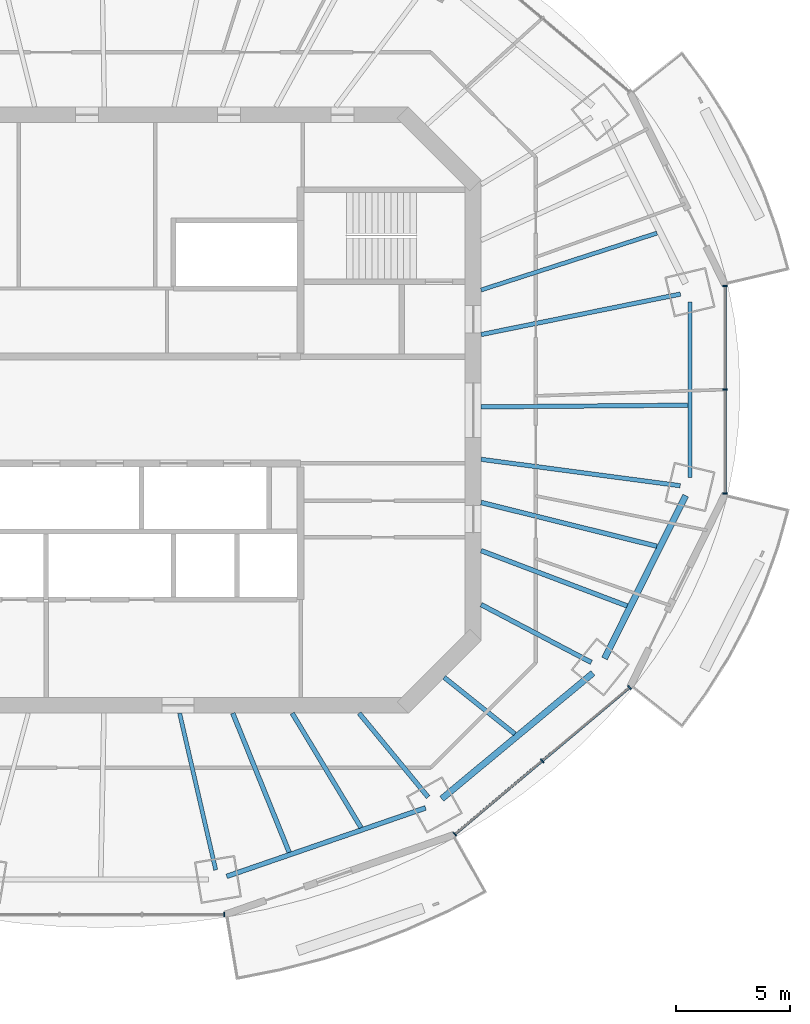
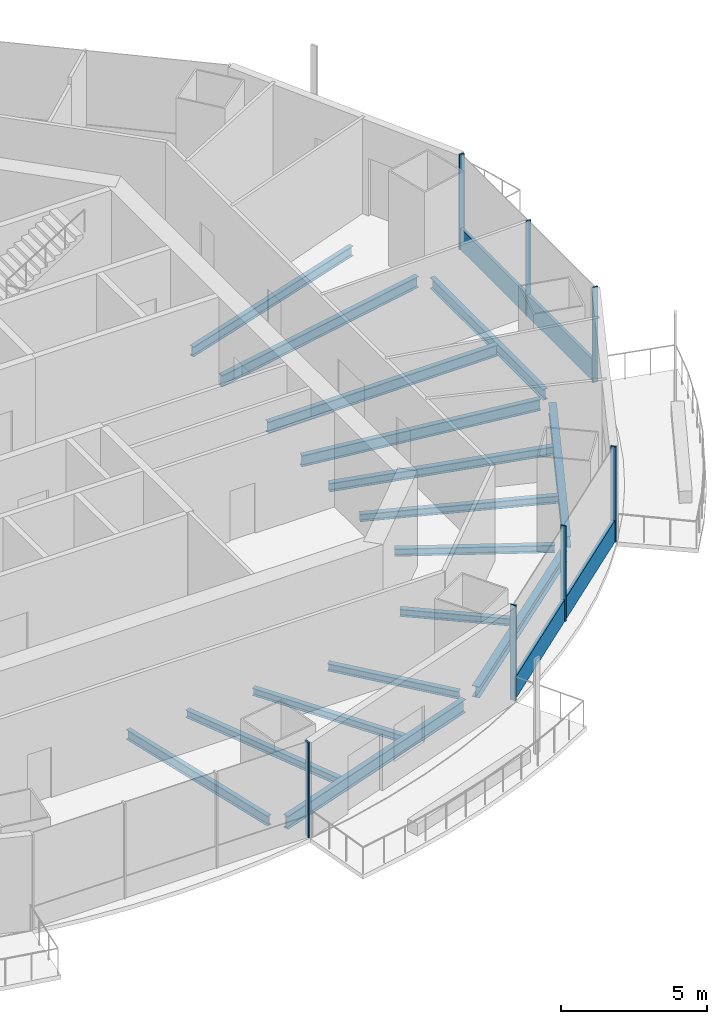
# One storey, part 4 of 16: 16 beams, 9 members, 3 elements without a shape of their own.
"""IFC4 building model written with IfcOpenShell, lengths in metres."""

from ifc_helpers import new_model, si_unit, direction, frame, origin, origin_2d, place, context, subcontext, project, spatial, rectangle, i_section, extrude, material, material_profile, profile_set, type_object, element, aggregate, save


model = new_model("IFC4")

# Units and contexts
model_context = context("Model", 3, precision=1e-05, world=origin(), true_north=direction((0.0, 1.0)))
body_context = subcontext(model_context, "Body", "Model", "MODEL_VIEW")
ifc_project = project(units=[si_unit("LENGTHUNIT", "METRE"), si_unit("AREAUNIT", "SQUARE_METRE"), si_unit("VOLUMEUNIT", "CUBIC_METRE"), si_unit("PLANEANGLEUNIT", "RADIAN"), si_unit("MASSUNIT", "GRAM", prefix="KILO")], contexts=[model_context])

# Site, building, storey
site_placement = place(None, origin())
site = spatial("IfcSite", under=ifc_project, at=site_placement, CompositionType="ELEMENT")
building_placement = place(site_placement, origin())
building = spatial("IfcBuilding", under=site, at=building_placement, Name="Marenthal Gate Tower", CompositionType="ELEMENT")
storey_placement = place(building_placement, frame((0.0, 0.0, 313.550048828125)))
storey = spatial("IfcBuildingStorey", under=building, at=storey_placement, Name="L70", CompositionType="ELEMENT", Elevation=313.550048828125)

# Curtain wall, member
ifc_material_1 = material(Name="Aluminium and glass", Category="aluminium")
curtain_wall_type = type_object("IfcCurtainWallType", Name="Curtain wall typical high", PredefinedType="NOTDEFINED", material=ifc_material_1)
curtain_wall_1_placement = place(storey_placement, origin())
curtain_wall_1 = element("IfcCurtainWall", 1, at=curtain_wall_1_placement, inside=storey, type_object=curtain_wall_type, Name="Curtain wall L70 bay 12", PredefinedType="NOTDEFINED")
ifc_material_2 = material(Name="Aluminium", Category="aluminium")
ifc_material_profile_1 = material_profile(ifc_material_2, rectangle(XDim=0.199951171875, YDim=0.06005859375, at=origin_2d()), Name="60x200 aluminium mullion")
ifc_profile_set_1 = profile_set([ifc_material_profile_1], Name="Aluminium")
member_type_1 = type_object("IfcMemberType", Name="Mullion 60x200 typical high", PredefinedType="MULLION", material=ifc_profile_set_1)
member_1_placement = place(storey_placement, frame((5.039306640625, -22.218994140625, 0.0), z_axis=(0.0, 0.0, 1.0), x_axis=(0.0, 1.0, 0.0)))
member_1 = element("IfcMember", 2, at=member_1_placement, type_object=member_type_1, Name="Mullion L70 bay 12.4", PredefinedType="MULLION", context=body_context, shape_type="SweptSolid", body=[
    extrude(rectangle(XDim=0.199951171875, YDim=0.06005859375, at=origin_2d()), origin(), (0.0, 0.0, 1.0), 3.969970703125),
])
aggregate(curtain_wall_1, [member_1])

# Curtain wall, members
curtain_wall_2_placement = place(storey_placement, origin())
curtain_wall_2 = element("IfcCurtainWall", 3, at=curtain_wall_2_placement, inside=storey, type_object=curtain_wall_type, Name="Curtain wall L70 bay 14", PredefinedType="NOTDEFINED")
member_2_placement = place(storey_placement, frame((15.19775390625, -18.68017578125, 0.0), z_axis=(0.0, 0.0, 1.0), x_axis=(-0.643570293048, 0.765387011848, 0.0)))
member_2 = element("IfcMember", 4, at=member_2_placement, type_object=member_type_1, Name="Mullion L70 bay 14.1", PredefinedType="MULLION", context=body_context, shape_type="SweptSolid", body=[
    extrude(rectangle(XDim=0.199951171875, YDim=0.06005859375, at=origin_2d()), origin(), (0.0, 0.0, 1.0), 3.969970703125),
])
member_3_placement = place(storey_placement, frame((19.042236328125, -15.44775390625, 0.0), z_axis=(0.0, 0.0, 1.0), x_axis=(-0.643570293048, 0.765387011848, 0.0)))
member_3 = element("IfcMember", 5, at=member_3_placement, type_object=member_type_1, Name="Mullion L70 bay 14.2", PredefinedType="MULLION", context=body_context, shape_type="SweptSolid", body=[
    extrude(rectangle(XDim=0.199951171875, YDim=0.06005859375, at=origin_2d()), origin(), (0.0, 0.0, 1.0), 3.969970703125),
])
member_4_placement = place(storey_placement, frame((22.886474609375, -12.21533203125, 0.0), z_axis=(0.0, 0.0, 1.0), x_axis=(-0.643570293048, 0.765387011848, 0.0)))
member_4 = element("IfcMember", 6, at=member_4_placement, type_object=member_type_1, Name="Mullion L70 bay 14.3", PredefinedType="MULLION", context=body_context, shape_type="SweptSolid", body=[
    extrude(rectangle(XDim=0.199951171875, YDim=0.06005859375, at=origin_2d()), origin(), (0.0, 0.0, 1.0), 3.969970703125),
])

curtain_wall_3_placement = place(storey_placement, origin())
curtain_wall_3 = element("IfcCurtainWall", 7, at=curtain_wall_3_placement, inside=storey, type_object=curtain_wall_type, Name="Curtain wall L70 bay 16", PredefinedType="NOTDEFINED")
member_5_placement = place(storey_placement, frame((27.09521484375, -3.668701171875, 0.0), z_axis=(0.0, 0.0, 1.0), x_axis=(-1.0, 0.0, 0.0)))
member_5 = element("IfcMember", 8, at=member_5_placement, type_object=member_type_1, Name="Mullion L70 bay 16.1", PredefinedType="MULLION", context=body_context, shape_type="SweptSolid", body=[
    extrude(rectangle(XDim=0.199951171875, YDim=0.06005859375, at=origin_2d()), origin(), (0.0, 0.0, 1.0), 3.969970703125),
])
member_6_placement = place(storey_placement, frame((27.09521484375, 0.89990234375, 0.0), z_axis=(0.0, 0.0, 1.0), x_axis=(-1.0, 0.0, 0.0)))
member_6 = element("IfcMember", 9, at=member_6_placement, type_object=member_type_1, Name="Mullion L70 bay 16.2", PredefinedType="MULLION", context=body_context, shape_type="SweptSolid", body=[
    extrude(rectangle(XDim=0.199951171875, YDim=0.06005859375, at=origin_2d()), origin(), (0.0, 0.0, 1.0), 3.969970703125),
])
member_7_placement = place(storey_placement, frame((27.09521484375, 5.46875, 0.0), z_axis=(0.0, 0.0, 1.0), x_axis=(-1.0, 0.0, 0.0)))
member_7 = element("IfcMember", 10, at=member_7_placement, type_object=member_type_1, Name="Mullion L70 bay 16.3", PredefinedType="MULLION", context=body_context, shape_type="SweptSolid", body=[
    extrude(rectangle(XDim=0.199951171875, YDim=0.06005859375, at=origin_2d()), origin(), (0.0, 0.0, 1.0), 3.969970703125),
])

# Member
ifc_material_3 = material(Name="Aluminium", Category="aluminium")
ifc_material_profile_2 = material_profile(ifc_material_3, rectangle(XDim=0.1201171875, YDim=0.89990234375, at=origin_2d()), Name="120x900 aluminium transom")
ifc_profile_set_2 = profile_set([ifc_material_profile_2], Name="Aluminium")
member_type_2 = type_object("IfcMemberType", Name="Transom 120x900 typical high", PredefinedType="USERDEFINED", material=ifc_profile_set_2)
member_8_placement = place(storey_placement, frame((15.220703125, -18.660888671875, 0.449951171875), z_axis=(0.765394109839, 0.643561851436, 0.0), x_axis=(-0.643561851436, 0.765394109839, 0.0)))
member_8 = element("IfcMember", 11, at=member_8_placement, type_object=member_type_2, Name="Transom L70 bay 14", ObjectType="TRANSOM", PredefinedType="USERDEFINED", context=body_context, shape_type="SweptSolid", body=[
    extrude(rectangle(XDim=0.1201171875, YDim=0.89990234375, at=origin_2d()), origin(), (0.0, 0.0, 1.0), 9.9853515625),
])

aggregate(curtain_wall_2, [member_2, member_3, member_4, member_8])

member_9_placement = place(storey_placement, frame((27.09521484375, -3.638671875, 0.449951171875), z_axis=(0.0, 1.0, 0.0), x_axis=(-1.0, 0.0, 0.0)))
member_9 = element("IfcMember", 12, at=member_9_placement, type_object=member_type_2, Name="Transom L70 bay 16", ObjectType="TRANSOM", PredefinedType="USERDEFINED", context=body_context, shape_type="SweptSolid", body=[
    extrude(rectangle(XDim=0.1201171875, YDim=0.89990234375, at=origin_2d()), origin(), (0.0, 0.0, 1.0), 9.077392578125),
])

aggregate(curtain_wall_3, [member_5, member_6, member_7, member_9])

# Beams
ifc_material_4 = material(Name="Steel S355", Category="steel")
ifc_material_profile_3 = material_profile(ifc_material_4, i_section(OverallWidth=0.202880859375, OverallDepth=0.302001953125, WebThickness=0.007568359375, FlangeThickness=0.01318359375, FilletRadius=0.0126953125, at=origin_2d()), Name="W310X60")
ifc_profile_set_3 = profile_set([ifc_material_profile_3], Name="Steel S355")
beam_type_1 = type_object("IfcBeamType", Name="W310X60 beam", PredefinedType="BEAM", material=ifc_profile_set_3)
beam_1_placement = place(storey_placement, frame((11.0625, -18.387451171875, -0.3310546875), z_axis=(-0.515539703432, 0.856865692034, 0.0), x_axis=(-0.856865692034, -0.515539703432, 0.0)))
element("IfcBeam", 13, at=beam_1_placement, inside=storey, type_object=beam_type_1, Name="BM-L70-36", PredefinedType="BEAM", context=body_context, shape_type="SweptSolid", body=[
    extrude(i_section(OverallWidth=0.202880859375, OverallDepth=0.302001953125, WebThickness=0.007568359375, FlangeThickness=0.01318359375, FilletRadius=0.0126953125, at=origin_2d()), origin(), (0.0, 0.0, 1.0), 5.87890625),
])
beam_2_placement = place(storey_placement, frame((17.835205078125, -14.262939453125, -0.3310546875), z_axis=(-0.781000235205, 0.624530729916, 0.0), x_axis=(-0.624530729916, -0.781000235205, 0.0)))
element("IfcBeam", 14, at=beam_2_placement, inside=storey, type_object=beam_type_1, Name="BM-L70-37", PredefinedType="BEAM", context=body_context, shape_type="SweptSolid", body=[
    extrude(i_section(OverallWidth=0.202880859375, OverallDepth=0.302001953125, WebThickness=0.007568359375, FlangeThickness=0.01318359375, FilletRadius=0.0126953125, at=origin_2d()), origin(), (0.0, 0.0, 1.0), 3.986572265625),
])
ifc_material_5 = material(Name="Steel S355", Category="steel")
ifc_material_profile_4 = material_profile(ifc_material_5, i_section(OverallWidth=0.205078125, OverallDepth=0.31005859375, WebThickness=0.009521484375, FlangeThickness=0.016357421875, FilletRadius=0.0126953125, at=origin_2d()), Name="W310X74")
ifc_profile_set_4 = profile_set([ifc_material_profile_4], Name="Steel S355")
beam_type_2 = type_object("IfcBeamType", Name="W310X74 beam", PredefinedType="BEAM", material=ifc_profile_set_4)
beam_3_placement = place(storey_placement, frame((14.017333984375, -17.045654296875, -0.3349609375), z_axis=(-0.63516696208, 0.772374863834, 0.0), x_axis=(-0.772374863834, -0.63516696208, 0.0)))
element("IfcBeam", 15, at=beam_3_placement, inside=storey, type_object=beam_type_2, Name="BM-L70-14", PredefinedType="BEAM", context=body_context, shape_type="SweptSolid", body=[
    extrude(i_section(OverallWidth=0.205078125, OverallDepth=0.31005859375, WebThickness=0.009521484375, FlangeThickness=0.016357421875, FilletRadius=0.0126953125, at=origin_2d()), origin(), (0.0, 0.0, 1.0), 4.78466796875),
])
beam_4_placement = place(storey_placement, frame((21.20361328125, -11.112548828125, -0.3349609375), z_axis=(-0.885727739451, 0.464205096446, 0.0), x_axis=(-0.464205096446, -0.885727739451, 0.0)))
element("IfcBeam", 16, at=beam_4_placement, inside=storey, type_object=beam_type_2, Name="BM-L70-15", PredefinedType="BEAM", context=body_context, shape_type="SweptSolid", body=[
    extrude(i_section(OverallWidth=0.205078125, OverallDepth=0.31005859375, WebThickness=0.009521484375, FlangeThickness=0.016357421875, FilletRadius=0.0126953125, at=origin_2d()), origin(), (0.0, 0.0, 1.0), 5.479736328125),
])
beam_5_placement = place(storey_placement, frame((7.899658203125, -19.4765625, -0.3349609375), z_axis=(-0.375855967573, 0.926678094939, 0.0), x_axis=(-0.926678094939, -0.375855967573, 0.0)))
element("IfcBeam", 17, at=beam_5_placement, inside=storey, type_object=beam_type_2, Name="BM-L70-35", PredefinedType="BEAM", context=body_context, shape_type="SweptSolid", body=[
    extrude(i_section(OverallWidth=0.205078125, OverallDepth=0.31005859375, WebThickness=0.009521484375, FlangeThickness=0.016357421875, FilletRadius=0.0126953125, at=origin_2d()), origin(), (0.0, 0.0, 1.0), 6.611328125),
])
beam_6_placement = place(storey_placement, frame((22.78125, -8.6259765625, -0.3349609375), z_axis=(-0.935206835356, 0.354101927562, 0.0), x_axis=(-0.354101927562, -0.935206835356, 0.0)))
element("IfcBeam", 18, at=beam_6_placement, inside=storey, type_object=beam_type_2, Name="BM-L70-38", PredefinedType="BEAM", context=body_context, shape_type="SweptSolid", body=[
    extrude(i_section(OverallWidth=0.205078125, OverallDepth=0.31005859375, WebThickness=0.009521484375, FlangeThickness=0.016357421875, FilletRadius=0.0126953125, at=origin_2d()), origin(), (0.0, 0.0, 1.0), 6.876708984375),
])
ifc_material_6 = material(Name="Steel S355", Category="steel")
ifc_material_profile_5 = material_profile(ifc_material_6, i_section(OverallWidth=0.205078125, OverallDepth=0.35302734375, WebThickness=0.009521484375, FlangeThickness=0.016845703125, FilletRadius=0.014892578125, at=origin_2d()), Name="W360X79")
ifc_profile_set_5 = profile_set([ifc_material_profile_5], Name="Steel S355")
beam_type_3 = type_object("IfcBeamType", Name="W360X79 beam", PredefinedType="BEAM", material=ifc_profile_set_5)
beam_7_placement = place(storey_placement, frame((24.09033203125, -5.998291015625, -0.3564453125), z_axis=(-0.970372516845, 0.241613696946, 0.0), x_axis=(-0.241613696946, -0.970372516845, 0.0)))
element("IfcBeam", 19, at=beam_7_placement, inside=storey, type_object=beam_type_3, Name="BM-L70-39", PredefinedType="BEAM", context=body_context, shape_type="SweptSolid", body=[
    extrude(i_section(OverallWidth=0.205078125, OverallDepth=0.35302734375, WebThickness=0.009521484375, FlangeThickness=0.016845703125, FilletRadius=0.014892578125, at=origin_2d()), origin(), (0.0, 0.0, 1.0), 7.9765625),
])
ifc_material_7 = material(Name="Steel S355", Category="steel")
ifc_material_profile_6 = material_profile(ifc_material_7, i_section(OverallWidth=0.180908203125, OverallDepth=0.4169921875, WebThickness=0.010986328125, FlangeThickness=0.018310546875, FilletRadius=0.01025390625, at=origin_2d()), Name="W410X85")
ifc_profile_set_6 = profile_set([ifc_material_profile_6], Name="Steel S355")
beam_type_4 = type_object("IfcBeamType", Name="W410X85 beam", PredefinedType="BEAM", material=ifc_profile_set_6)
beam_8_placement = place(storey_placement, frame((4.6650390625, -20.25341796875, -0.388427734375), z_axis=(-0.224459287832, 0.974483467333, 0.0), x_axis=(-0.974483467333, -0.224459287832, 0.0)))
element("IfcBeam", 20, at=beam_8_placement, inside=storey, type_object=beam_type_4, Name="BM-L70-13", PredefinedType="BEAM", context=body_context, shape_type="SweptSolid", body=[
    extrude(i_section(OverallWidth=0.180908203125, OverallDepth=0.4169921875, WebThickness=0.010986328125, FlangeThickness=0.018310546875, FilletRadius=0.01025390625, at=origin_2d()), origin(), (0.0, 0.0, 1.0), 7.083984375),
])
beam_9_placement = place(storey_placement, frame((24.0947265625, 7.78955078125, -0.388427734375), z_axis=(-0.951514772772, -0.307603051345, 0.0), x_axis=(0.307603051345, -0.951514772772, 0.0)))
element("IfcBeam", 21, at=beam_9_placement, inside=storey, type_object=beam_type_4, Name="BM-L70-17", PredefinedType="BEAM", context=body_context, shape_type="SweptSolid", body=[
    extrude(i_section(OverallWidth=0.180908203125, OverallDepth=0.4169921875, WebThickness=0.010986328125, FlangeThickness=0.018310546875, FilletRadius=0.01025390625, at=origin_2d()), origin(), (0.0, 0.0, 1.0), 8.13916015625),
])
ifc_material_8 = material(Name="Steel S355", Category="steel")
ifc_material_profile_7 = material_profile(ifc_material_8, i_section(OverallWidth=0.279052734375, OverallDepth=0.4619140625, WebThickness=0.0107421875, FlangeThickness=0.017333984375, FilletRadius=0.010009765625, at=origin_2d()), Name="W460X113")
ifc_profile_set_7 = profile_set([ifc_material_profile_7], Name="Steel S355")
beam_type_5 = type_object("IfcBeamType", Name="W460X113 beam", PredefinedType="BEAM", material=ifc_profile_set_7)
beam_10_placement = place(storey_placement, frame((14.616943359375, -17.119873046875, -0.4111328125), z_axis=(0.768976642978, 0.639276874722, 0.0), x_axis=(-0.639276874722, 0.768976642978, 0.0)))
element("IfcBeam", 22, at=beam_10_placement, inside=storey, type_object=beam_type_5, Name="BM-L70-54", PredefinedType="BEAM", context=body_context, shape_type="SweptSolid", body=[
    extrude(i_section(OverallWidth=0.279052734375, OverallDepth=0.4619140625, WebThickness=0.0107421875, FlangeThickness=0.017333984375, FilletRadius=0.010009765625, at=origin_2d()), origin(), (0.0, 0.0, 1.0), 8.656982421875),
])
beam_11_placement = place(storey_placement, frame((21.783447265625, -10.941162109375, -0.4111328125), z_axis=(0.445969956735, 0.895047930387, 0.0), x_axis=(-0.895047930387, 0.445969956735, 0.0)))
element("IfcBeam", 23, at=beam_11_placement, inside=storey, type_object=beam_type_5, Name="BM-L70-55", PredefinedType="BEAM", context=body_context, shape_type="SweptSolid", body=[
    extrude(i_section(OverallWidth=0.279052734375, OverallDepth=0.4619140625, WebThickness=0.0107421875, FlangeThickness=0.017333984375, FilletRadius=0.010009765625, at=origin_2d()), origin(), (0.0, 0.0, 1.0), 8.01220703125),
])
ifc_material_9 = material(Name="Steel S355", Category="steel")
ifc_material_profile_8 = material_profile(ifc_material_9, i_section(OverallWidth=0.19091796875, OverallDepth=0.45703125, WebThickness=0.009033203125, FlangeThickness=0.014404296875, FilletRadius=0.01025390625, at=origin_2d()), Name="W460X74")
ifc_profile_set_8 = profile_set([ifc_material_profile_8], Name="Steel S355")
beam_type_6 = type_object("IfcBeamType", Name="W460X74 beam", PredefinedType="BEAM", material=ifc_profile_set_8)
beam_12_placement = place(storey_placement, frame((25.545654296875, -2.965087890625, -0.408447265625), z_axis=(0.0, 1.0, 0.0), x_axis=(-1.0, 0.0, 0.0)))
element("IfcBeam", 24, at=beam_12_placement, inside=storey, type_object=beam_type_6, Name="BM-L70-56", PredefinedType="BEAM", context=body_context, shape_type="SweptSolid", body=[
    extrude(i_section(OverallWidth=0.19091796875, OverallDepth=0.45703125, WebThickness=0.009033203125, FlangeThickness=0.014404296875, FilletRadius=0.01025390625, at=origin_2d()), origin(), (0.0, 0.0, 1.0), 7.72998046875),
])
ifc_material_10 = material(Name="Steel S355", Category="steel")
ifc_material_profile_9 = material_profile(ifc_material_10, i_section(OverallWidth=0.193115234375, OverallDepth=0.467041015625, WebThickness=0.011474609375, FlangeThickness=0.01904296875, FilletRadius=0.010009765625, at=origin_2d()), Name="W460X97")
ifc_profile_set_9 = profile_set([ifc_material_profile_9], Name="Steel S355")
beam_type_7 = type_object("IfcBeamType", Name="W460X97 beam", PredefinedType="BEAM", material=ifc_profile_set_9)
beam_13_placement = place(storey_placement, frame((25.128662109375, 5.105712890625, -0.41357421875), z_axis=(-0.979975438503, -0.199118406811, 0.0), x_axis=(0.199118406811, -0.979975438503, 0.0)))
element("IfcBeam", 25, at=beam_13_placement, inside=storey, type_object=beam_type_7, Name="BM-L70-01", PredefinedType="BEAM", context=body_context, shape_type="SweptSolid", body=[
    extrude(i_section(OverallWidth=0.193115234375, OverallDepth=0.467041015625, WebThickness=0.011474609375, FlangeThickness=0.01904296875, FilletRadius=0.010009765625, at=origin_2d()), origin(), (0.0, 0.0, 1.0), 8.9580078125),
])
beam_14_placement = place(storey_placement, frame((25.11962890625, -3.333984375, -0.41357421875), z_axis=(-0.991304860483, 0.131585233151, 0.0), x_axis=(-0.131585233151, -0.991304860483, 0.0)))
element("IfcBeam", 26, at=beam_14_placement, inside=storey, type_object=beam_type_7, Name="BM-L70-16", PredefinedType="BEAM", context=body_context, shape_type="SweptSolid", body=[
    extrude(i_section(OverallWidth=0.193115234375, OverallDepth=0.467041015625, WebThickness=0.011474609375, FlangeThickness=0.01904296875, FilletRadius=0.010009765625, at=origin_2d()), origin(), (0.0, 0.0, 1.0), 8.846435546875),
])
beam_15_placement = place(storey_placement, frame((25.4501953125, 0.212646484375, -0.41357421875), z_axis=(-0.999965193841, -0.008343327126, 0.0), x_axis=(0.008343327126, -0.999965193841, 0.0)))
element("IfcBeam", 27, at=beam_15_placement, inside=storey, type_object=beam_type_7, Name="BM-L70-40", PredefinedType="BEAM", context=body_context, shape_type="SweptSolid", body=[
    extrude(i_section(OverallWidth=0.193115234375, OverallDepth=0.467041015625, WebThickness=0.011474609375, FlangeThickness=0.01904296875, FilletRadius=0.010009765625, at=origin_2d()), origin(), (0.0, 0.0, 1.0), 9.100341796875),
])
ifc_material_11 = material(Name="Steel S355", Category="steel")
ifc_material_profile_10 = material_profile(ifc_material_11, i_section(OverallWidth=0.2119140625, OverallDepth=0.5439453125, WebThickness=0.01318359375, FlangeThickness=0.021240234375, FilletRadius=0.0126953125, at=origin_2d()), Name="W530X123")
ifc_profile_set_10 = profile_set([ifc_material_profile_10], Name="Steel S355")
beam_type_8 = type_object("IfcBeamType", Name="W530X123 beam", PredefinedType="BEAM", material=ifc_profile_set_10)
beam_16_placement = place(storey_placement, frame((5.151123046875, -20.534912109375, -0.4521484375), z_axis=(0.945520555147, 0.325562405377, 0.0), x_axis=(-0.325562405377, 0.945520555147, 0.0)))
element("IfcBeam", 28, at=beam_16_placement, inside=storey, type_object=beam_type_8, Name="BM-L70-53", PredefinedType="BEAM", context=body_context, shape_type="SweptSolid", body=[
    extrude(i_section(OverallWidth=0.2119140625, OverallDepth=0.5439453125, WebThickness=0.01318359375, FlangeThickness=0.021240234375, FilletRadius=0.0126953125, at=origin_2d()), origin(), (0.0, 0.0, 1.0), 9.259033203125),
])

save(model, "model.ifc")
